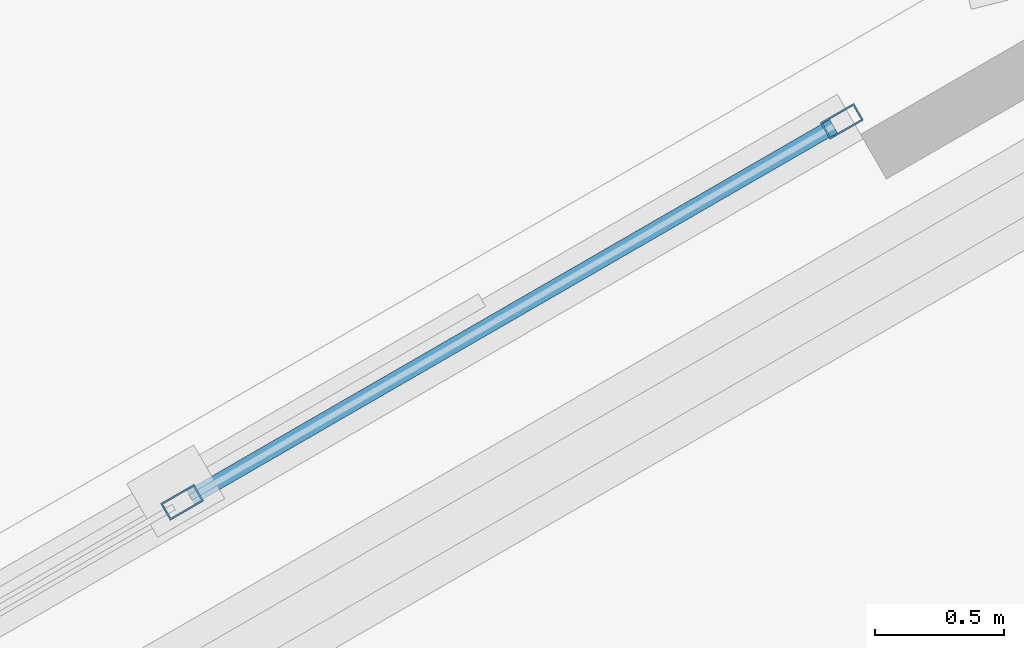
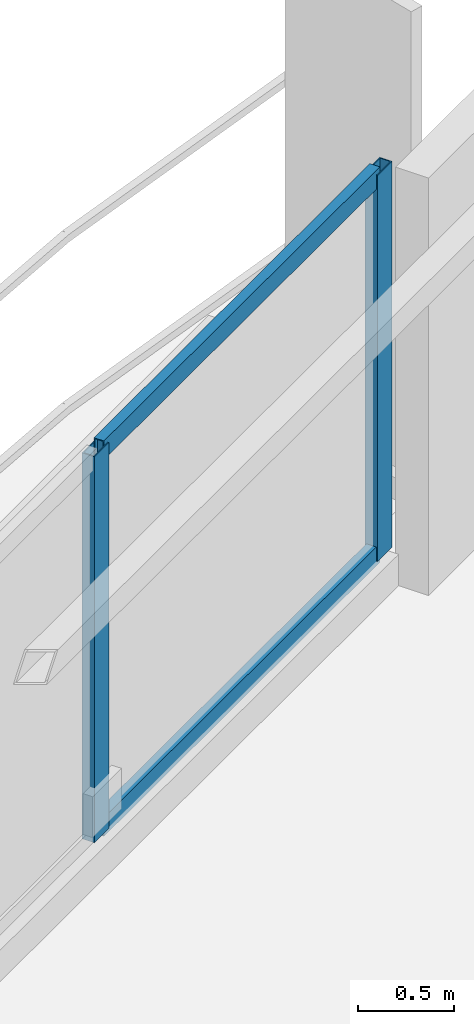
# One storey, part 9 of 19: 4 members, 1 element without a shape of its own.
"""IFC4 building model written with IfcOpenShell, lengths in metres."""

from ifc_helpers import new_model, si_unit, direction, frame, origin, origin_2d, place, context, subcontext, project, spatial, hollow_rectangle, extrude, material, layer, layer_set, material_profile, profile_set, type_object, element, aggregate, save


model = new_model("IFC4")

# Units and contexts
model_context = context("Model", 3, precision=1e-05, world=origin(), true_north=direction((0.0, 1.0)))
body_context = subcontext(model_context, "Body", "Model", "MODEL_VIEW")
ifc_project = project(units=[si_unit("LENGTHUNIT", "METRE"), si_unit("AREAUNIT", "SQUARE_METRE"), si_unit("VOLUMEUNIT", "CUBIC_METRE"), si_unit("PLANEANGLEUNIT", "RADIAN"), si_unit("MASSUNIT", "GRAM", prefix="KILO")], contexts=[model_context])

# Site, building, storey
site_placement = place(None, origin())
site = spatial("IfcSite", under=ifc_project, at=site_placement, CompositionType="ELEMENT")
building_placement = place(site_placement, origin())
building = spatial("IfcBuilding", under=site, at=building_placement, Name="Mersakhor Tower and Convention Hall", CompositionType="ELEMENT")
storey_placement = place(building_placement, frame((0.0, 0.0, 29.10009765625)))
storey = spatial("IfcBuildingStorey", under=building, at=storey_placement, Name="L07", CompositionType="ELEMENT", Elevation=29.10009765625)

# Curtain wall, members
ifc_material_1 = material(Name="Dark solar low-E aluminium curtain wall", Category="aluminium")
ifc_layer = layer(ifc_material_1, 0.159912109375)
ifc_layer_set = layer_set([ifc_layer], Name="Dark solar low-E aluminium curtain wall")
curtain_wall_type = type_object("IfcCurtainWallType", Name="CW-SYS-01", PredefinedType="USERDEFINED", material=ifc_layer_set)
curtain_wall_placement = place(storey_placement, origin())
curtain_wall = element("IfcCurtainWall", 1, at=curtain_wall_placement, inside=storey, type_object=curtain_wall_type, Name="L07 Dark-Glass Curtain Wall F1-B2", ObjectType="CURTAIN WALL", PredefinedType="USERDEFINED")
ifc_material_2 = material(Name="Anodised aluminium EN AW-6063 T6", Category="aluminium")
ifc_material_profile_1 = material_profile(ifc_material_2, hollow_rectangle(XDim=0.074951171875, YDim=0.14990234375, WallThickness=0.00634765625, at=origin_2d()), Name="RHS 150x75x6.3")
ifc_profile_set_1 = profile_set([ifc_material_profile_1], Name="Anodised aluminium EN AW-6063 T6")
member_type_1 = type_object("IfcMemberType", Name="CWM-150x75", PredefinedType="MULLION", material=ifc_profile_set_1)
member_1_placement = place(storey_placement, frame((24.167236328125, 41.107177734375, 0.199951171875), z_axis=(0.0, 0.0, 1.0), x_axis=(-0.50000344889, 0.866023412558, 0.0)))
member_1 = element("IfcMember", 2, at=member_1_placement, type_object=member_type_1, Name="CW-01 mullion 4", PredefinedType="MULLION", context=body_context, shape_type="SweptSolid", body=[
    extrude(hollow_rectangle(XDim=0.074951171875, YDim=0.14990234375, WallThickness=0.00634765625, at=origin_2d()), origin(), (0.0, 0.0, 1.0), 2.4599609375),
])
member_2_placement = place(storey_placement, frame((26.72705078125, 42.5849609375, 0.199951171875), z_axis=(0.0, 0.0, 1.0), x_axis=(-0.50000344889, 0.866023412558, 0.0)))
member_2 = element("IfcMember", 3, at=member_2_placement, type_object=member_type_1, Name="CW-01 mullion 5", PredefinedType="MULLION", context=body_context, shape_type="SweptSolid", body=[
    extrude(hollow_rectangle(XDim=0.074951171875, YDim=0.14990234375, WallThickness=0.00634765625, at=origin_2d()), origin(), (0.0, 0.0, 1.0), 2.4599609375),
])
ifc_material_3 = material(Name="Anodised aluminium EN AW-6063 T6", Category="aluminium")
ifc_material_profile_2 = material_profile(ifc_material_3, hollow_rectangle(XDim=0.06005859375, YDim=0.1201171875, WallThickness=0.0048828125, at=origin_2d()), Name="RHS 120x60x5")
ifc_profile_set_2 = profile_set([ifc_material_profile_2], Name="Anodised aluminium EN AW-6063 T6")
member_type_2 = type_object("IfcMemberType", Name="CWT-120x60", PredefinedType="USERDEFINED", material=ifc_profile_set_2)
member_3_placement = place(storey_placement, frame((24.19970703125, 41.1259765625, 0.22998046875), z_axis=(0.866023290103, 0.500003660985, 0.0), x_axis=(-0.500003660985, 0.866023290103, 0.0)))
member_3 = element("IfcMember", 4, at=member_3_placement, type_object=member_type_2, Name="CW-01 transom 4.1", ObjectType="TRANSOM", PredefinedType="USERDEFINED", context=body_context, shape_type="SweptSolid", body=[
    extrude(hollow_rectangle(XDim=0.06005859375, YDim=0.1201171875, WallThickness=0.0048828125, at=origin_2d()), origin(), (0.0, 0.0, 1.0), 2.880859375),
])
member_4_placement = place(storey_placement, frame((24.19970703125, 41.1259765625, 2.6298828125), z_axis=(0.866023290103, 0.500003660985, 0.0), x_axis=(-0.500003660985, 0.866023290103, 0.0)))
member_4 = element("IfcMember", 5, at=member_4_placement, type_object=member_type_2, Name="CW-01 transom 4.2", ObjectType="TRANSOM", PredefinedType="USERDEFINED", context=body_context, shape_type="SweptSolid", body=[
    extrude(hollow_rectangle(XDim=0.06005859375, YDim=0.1201171875, WallThickness=0.0048828125, at=origin_2d()), origin(), (0.0, 0.0, 1.0), 2.880859375),
])
aggregate(curtain_wall, [member_1, member_2, member_3, member_4])

save(model, "model.ifc")
